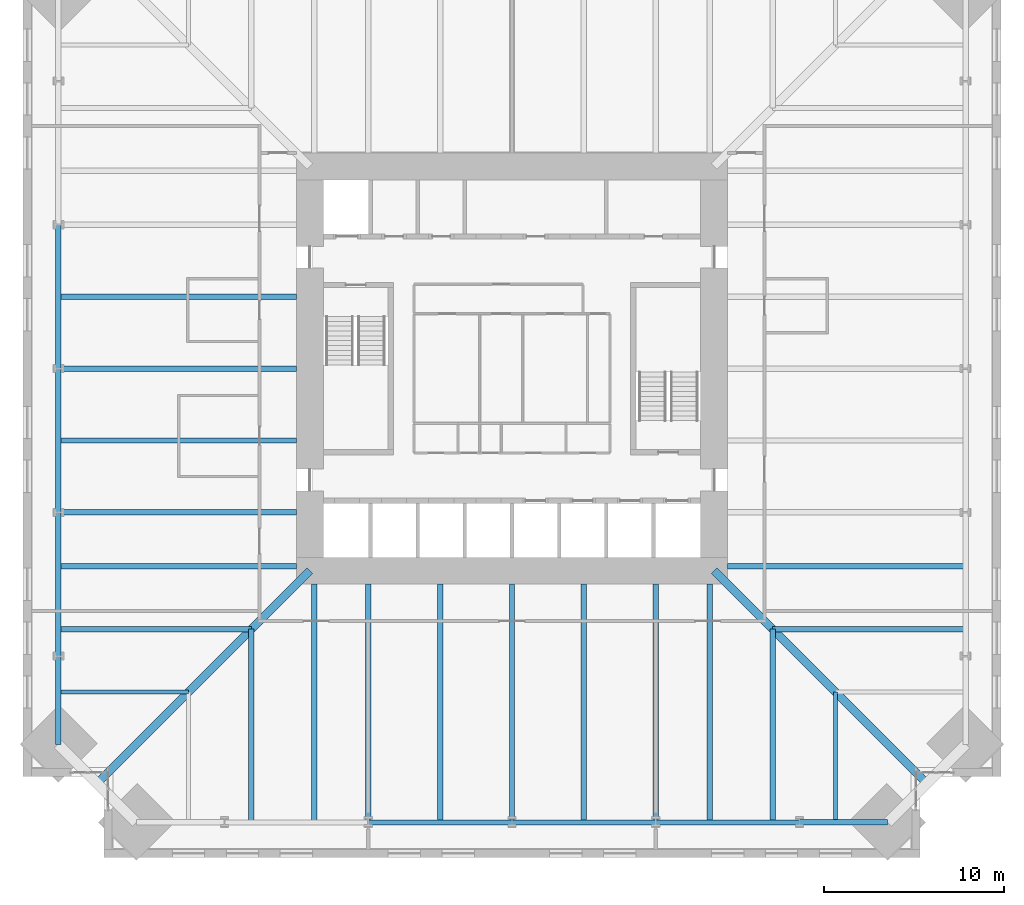
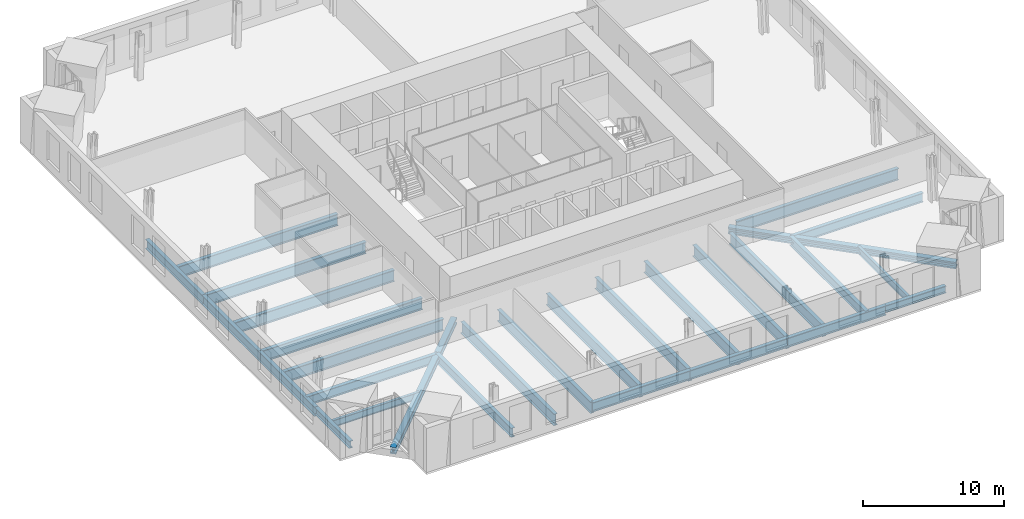
# One storey, part 3 of 16: 29 beams.
"""IFC4 building model written with IfcOpenShell, lengths in metres."""

from ifc_helpers import new_model, si_unit, direction, frame, origin, origin_2d, place, context, subcontext, project, spatial, i_section, extrude, material, material_profile, profile_set, type_object, element, save


model = new_model("IFC4")

# Units and contexts
model_context = context("Model", 3, precision=1e-05, world=origin(), true_north=direction((0.0, 1.0)))
body_context = subcontext(model_context, "Body", "Model", "MODEL_VIEW")
ifc_project = project(units=[si_unit("LENGTHUNIT", "METRE"), si_unit("AREAUNIT", "SQUARE_METRE"), si_unit("VOLUMEUNIT", "CUBIC_METRE"), si_unit("PLANEANGLEUNIT", "RADIAN"), si_unit("MASSUNIT", "GRAM", prefix="KILO")], contexts=[model_context])

# Site, building, storey
site_placement = place(None, origin())
site = spatial("IfcSite", under=ifc_project, at=site_placement, CompositionType="ELEMENT")
building_placement = place(site_placement, origin())
building = spatial("IfcBuilding", under=site, at=building_placement, Name="Peilmerk Tower", CompositionType="ELEMENT")
storey_placement = place(building_placement, frame((0.0, 0.0, 139.800048828125)))
storey = spatial("IfcBuildingStorey", under=building, at=storey_placement, Name="L28", CompositionType="ELEMENT", Elevation=139.800048828125)

# Beams
ifc_material_1 = material(Name="Steel S355", Category="steel")
ifc_material_profile_1 = material_profile(ifc_material_1, i_section(OverallWidth=0.219970703125, OverallDepth=0.60009765625, WebThickness=0.011962890625, FlangeThickness=0.01904296875, at=origin_2d()), Name="IPE 600")
ifc_profile_set_1 = profile_set([ifc_material_profile_1], Name="Steel S355")
beam_type_1 = type_object("IfcBeamType", Name="B10 IPE 600 floor beam", PredefinedType="BEAM", material=ifc_profile_set_1)
for number, where, z_axis, x_axis, name in (
    (1, (18.0, -18.0, -0.469970703125), (0.0, -1.0, 0.0), (1.0, 0.0, 0.0), "Floor beam L28"),
    (2, (-18.0, -18.0, -0.469970703125), (-1.0, 0.0, 0.0), (0.0, -1.0, 0.0), "Floor beam L28"),
):
    element("IfcBeam", number, at=place(storey_placement, frame(where, z_axis=z_axis, x_axis=x_axis)), inside=storey, type_object=beam_type_1, Name=name, PredefinedType="BEAM", context=body_context, shape_type="SweptSolid", body=[
        extrude(i_section(OverallWidth=0.219970703125, OverallDepth=0.60009765625, WebThickness=0.011962890625, FlangeThickness=0.01904296875, at=origin_2d()), origin(), (0.0, 0.0, 1.0), 7.259765625),
    ])
ifc_material_profile_2 = material_profile(ifc_material_1, i_section(OverallWidth=0.302978515625, OverallDepth=0.81396484375, WebThickness=0.02099609375, FlangeThickness=0.0400390625, at=origin_2d()), Name="HEM 800")
ifc_profile_set_2 = profile_set([ifc_material_profile_2], Name="Steel S355")
beam_type_2 = type_object("IfcBeamType", Name="B15 HEM 800 edge beam", PredefinedType="SPANDREL", material=ifc_profile_set_2)
for number, where, z_axis, x_axis, name in (
    (3, (-8.0, -25.259765625, -0.5771484375), (1.0, 0.0, 0.0), (0.0, 1.0, 0.0), "Edge beam L28"),
    (4, (0.0, -25.259765625, -0.5771484375), (1.0, 0.0, 0.0), (0.0, 1.0, 0.0), "Edge beam L28"),
    (5, (8.0, -25.259765625, -0.5771484375), (1.0, 0.0, 0.0), (0.0, 1.0, 0.0), "Edge beam L28"),
    (6, (-25.259765625, 8.0, -0.5771484375), (0.0, -1.0, 0.0), (1.0, 0.0, 0.0), "Edge beam L28"),
    (7, (-25.259765625, 0.0, -0.5771484375), (0.0, -1.0, 0.0), (1.0, 0.0, 0.0), "Edge beam L28"),
    (8, (-25.259765625, -8.0, -0.5771484375), (0.0, -1.0, 0.0), (1.0, 0.0, 0.0), "Edge beam L28"),
):
    element("IfcBeam", number, at=place(storey_placement, frame(where, z_axis=z_axis, x_axis=x_axis)), inside=storey, type_object=beam_type_2, Name=name, PredefinedType="SPANDREL", context=body_context, shape_type="SweptSolid", body=[
        extrude(i_section(OverallWidth=0.302978515625, OverallDepth=0.81396484375, WebThickness=0.02099609375, FlangeThickness=0.0400390625, at=origin_2d()), origin(), (0.0, 0.0, 1.0), 8.0),
    ])
ifc_material_profile_3 = material_profile(ifc_material_1, i_section(OverallWidth=0.300048828125, OverallDepth=0.7900390625, WebThickness=0.014892578125, FlangeThickness=0.028076171875, at=origin_2d()), Name="HEA 800")
ifc_profile_set_3 = profile_set([ifc_material_profile_3], Name="Steel S355")
beam_type_3 = type_object("IfcBeamType", Name="B3 HEA 800 floor beam", PredefinedType="BEAM", material=ifc_profile_set_3)
for number, where, z_axis, x_axis, name in (
    (9, (14.5, -14.5, -0.56494140625), (0.0, -1.0, 0.0), (1.0, 0.0, 0.0), "Floor beam L28"),
    (10, (14.5, -14.5, -0.56494140625), (1.0, 0.0, 0.0), (0.0, 1.0, 0.0), "Floor beam L28"),
    (11, (-14.5, -14.5, -0.56494140625), (0.0, -1.0, 0.0), (1.0, 0.0, 0.0), "Floor beam L28"),
    (12, (-14.5, -14.5, -0.56494140625), (-1.0, 0.0, 0.0), (0.0, -1.0, 0.0), "Floor beam L28"),
):
    element("IfcBeam", number, at=place(storey_placement, frame(where, z_axis=z_axis, x_axis=x_axis)), inside=storey, type_object=beam_type_3, Name=name, PredefinedType="BEAM", context=body_context, shape_type="SweptSolid", body=[
        extrude(i_section(OverallWidth=0.300048828125, OverallDepth=0.7900390625, WebThickness=0.014892578125, FlangeThickness=0.028076171875, at=origin_2d()), origin(), (0.0, 0.0, 1.0), 10.759765625),
    ])
ifc_material_profile_4 = material_profile(ifc_material_1, i_section(OverallWidth=0.304931640625, OverallDepth=0.6201171875, WebThickness=0.02099609375, FlangeThickness=0.0400390625, at=origin_2d()), Name="HEM 600")
ifc_profile_set_4 = profile_set([ifc_material_profile_4], Name="Steel S355")
beam_type_4 = type_object("IfcBeamType", Name="B31 HEM 600 edge beam", PredefinedType="SPANDREL", material=ifc_profile_set_4)
for number, where, z_axis, x_axis, name in (
    (13, (16.0, -25.259765625, -0.47998046875), (1.0, 0.0, 0.0), (0.0, 1.0, 0.0), "Edge beam L28"),
    (14, (-25.259765625, -16.0, -0.47998046875), (0.0, -1.0, 0.0), (1.0, 0.0, 0.0), "Edge beam L28"),
):
    element("IfcBeam", number, at=place(storey_placement, frame(where, z_axis=z_axis, x_axis=x_axis)), inside=storey, type_object=beam_type_4, Name=name, PredefinedType="SPANDREL", context=body_context, shape_type="SweptSolid", body=[
        extrude(i_section(OverallWidth=0.304931640625, OverallDepth=0.6201171875, WebThickness=0.02099609375, FlangeThickness=0.0400390625, at=origin_2d()), origin(), (0.0, 0.0, 1.0), 4.90966796875),
    ])
ifc_material_profile_5 = material_profile(ifc_material_1, i_section(OverallWidth=0.300048828125, OverallDepth=1.0, WebThickness=0.01904296875, FlangeThickness=0.035888671875, at=origin_2d()), Name="HEB 1000")
ifc_profile_set_5 = profile_set([ifc_material_profile_5], Name="Steel S355")
beam_type_5 = type_object("IfcBeamType", Name="B5 HEB 1000 floor girder", PredefinedType="BEAM", material=ifc_profile_set_5)
for number, where, z_axis, x_axis, name in (
    (15, (12.0, -11.0, -0.670166015625), (1.0, 0.0, 0.0), (0.0, 1.0, 0.0), "Floor beam L28"),
    (16, (-11.0, -12.0, -0.670166015625), (0.0, -1.0, 0.0), (1.0, 0.0, 0.0), "Floor beam L28"),
    (17, (-8.0, -12.0, -0.670166015625), (0.0, -1.0, 0.0), (1.0, 0.0, 0.0), "Floor beam L28"),
    (18, (-4.0, -12.0, -0.670166015625), (0.0, -1.0, 0.0), (1.0, 0.0, 0.0), "Floor beam L28"),
    (19, (0.0, -12.0, -0.670166015625), (0.0, -1.0, 0.0), (1.0, 0.0, 0.0), "Floor beam L28"),
    (20, (4.0, -12.0, -0.670166015625), (0.0, -1.0, 0.0), (1.0, 0.0, 0.0), "Floor beam L28"),
    (21, (8.0, -12.0, -0.670166015625), (0.0, -1.0, 0.0), (1.0, 0.0, 0.0), "Floor beam L28"),
    (22, (11.0, -12.0, -0.670166015625), (0.0, -1.0, 0.0), (1.0, 0.0, 0.0), "Floor beam L28"),
    (23, (-12.0, 4.0, -0.670166015625), (-1.0, 0.0, 0.0), (0.0, -1.0, 0.0), "Floor beam L28"),
    (24, (-12.0, 0.0, -0.670166015625), (-1.0, 0.0, 0.0), (0.0, -1.0, 0.0), "Floor beam L28"),
    (25, (-12.0, -4.0, -0.670166015625), (-1.0, 0.0, 0.0), (0.0, -1.0, 0.0), "Floor beam L28"),
    (26, (-12.0, -8.0, -0.670166015625), (-1.0, 0.0, 0.0), (0.0, -1.0, 0.0), "Floor beam L28"),
    (27, (-12.0, -11.0, -0.670166015625), (-1.0, 0.0, 0.0), (0.0, -1.0, 0.0), "Floor beam L28"),
):
    element("IfcBeam", number, at=place(storey_placement, frame(where, z_axis=z_axis, x_axis=x_axis)), inside=storey, type_object=beam_type_5, Name=name, PredefinedType="BEAM", context=body_context, shape_type="SweptSolid", body=[
        extrude(i_section(OverallWidth=0.300048828125, OverallDepth=1.0, WebThickness=0.01904296875, FlangeThickness=0.035888671875, at=origin_2d()), origin(), (0.0, 0.0, 1.0), 13.259765625),
    ])
ifc_material_2 = material(Name="Steel S460", Category="steel")
ifc_material_profile_6 = material_profile(ifc_material_2, i_section(OverallWidth=0.4541015625, OverallDepth=0.569091796875, WebThickness=0.077880859375, FlangeThickness=0.125, at=origin_2d()), Name="HD 400x1086")
ifc_profile_set_6 = profile_set([ifc_material_profile_6], Name="Steel S460")
beam_type_6 = type_object("IfcBeamType", Name="B9 HD 400x1086 corner girder", PredefinedType="BEAM", material=ifc_profile_set_6)
for number, where, z_axis, x_axis, name in (
    (28, (11.25, -11.25, -0.45458984375), (0.707106781187, -0.707106781187, 0.0), (0.707106781187, 0.707106781187, 0.0), "Corner girder L28"),
    (29, (-11.25, -11.25, -0.45458984375), (-0.707106781187, -0.707106781187, 0.0), (0.707106781187, -0.707106781187, 0.0), "Corner girder L28"),
):
    element("IfcBeam", number, at=place(storey_placement, frame(where, z_axis=z_axis, x_axis=x_axis)), inside=storey, type_object=beam_type_6, Name=name, PredefinedType="BEAM", context=body_context, shape_type="SweptSolid", body=[
        extrude(i_section(OverallWidth=0.4541015625, OverallDepth=0.569091796875, WebThickness=0.077880859375, FlangeThickness=0.125, at=origin_2d()), origin(), (0.0, 0.0, 1.0), 16.73681640625),
    ])

save(model, "model.ifc")
